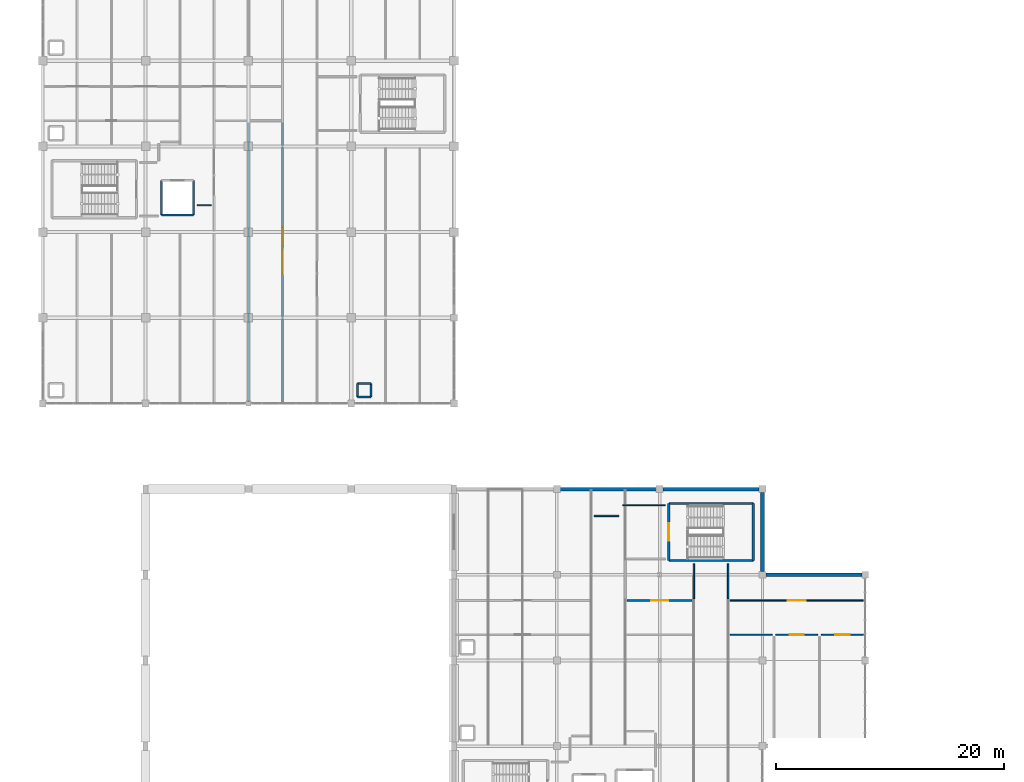
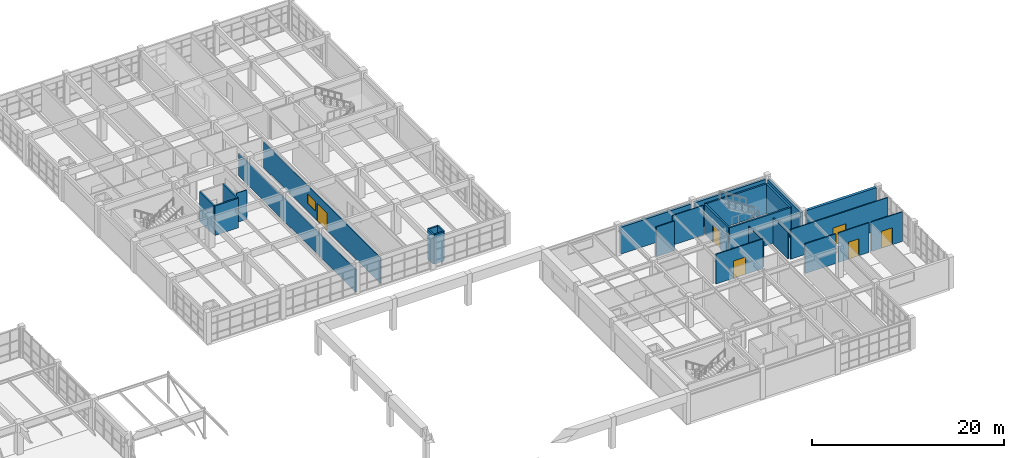
# One storey, part 68 of 76: 27 walls, 6 doors, 1 window, 7 openings.
"""IFC4 building model written with IfcOpenShell, lengths in metres."""

import ifcopenshell
import ifcopenshell.guid

model = None  # the IFC model being written
_history = None  # IfcOwnerHistory: only IFC2X3 demands one
_inside = {}  # id of a spatial element -> (the spatial element, [elements in it])
_under = {}  # id of a project, library or spatial element -> (it, [spatial elements below it])
_declared = {}  # id of a project -> (the project, [libraries it declares])
_typed = {}  # id of a type object -> (the type object, [elements of that type])
_made_of = {}  # id of a material, layer set ... -> (it, [elements and type objects made of it])


def new_model(schema):
    """Start an empty IFC model of exactly this schema.

    Asked for "IFC4X3", IfcOpenShell would pick the latest addendum, in which some entities
    have other attributes; the version numbers below select the first issue.
    IFC2X3 requires an IfcOwnerHistory on every rooted entity: one is made here for all.
    """
    global model, _history
    if schema == "IFC4X3":
        model = ifcopenshell.file(schema_version=(4, 3, 0, 0))
    else:
        model = ifcopenshell.file(schema=schema)
    _inside.clear()
    _under.clear()
    _declared.clear()
    _typed.clear()
    _made_of.clear()
    _history = None
    if model.schema == "IFC2X3":
        org = make("IfcOrganization", Name="unknown")
        user = make(
            "IfcPersonAndOrganization",
            ThePerson=make("IfcPerson", FamilyName="unknown"),
            TheOrganization=org,
        )
        app = make(
            "IfcApplication",
            ApplicationDeveloper=org,
            Version="unknown",
            ApplicationFullName="unknown",
            ApplicationIdentifier="unknown",
        )
        _history = make(
            "IfcOwnerHistory",
            OwningUser=user,
            OwningApplication=app,
            ChangeAction="ADDED",
            CreationDate=0,
        )
    return model


def make(cls, **values):
    """One entity of the class cls with the attributes given. An attribute that is None is left unset."""
    return model.create_entity(
        cls, **{name: value for name, value in values.items() if value is not None}
    )


def rooted(cls, **values):
    """An entity with a GlobalId (a new one), such as an element, a storey or a relation."""
    return make(cls, GlobalId=ifcopenshell.guid.new(), OwnerHistory=_history, **values)


def si_unit(unit_type, name, prefix=None):
    """IfcSIUnit, for example si_unit("LENGTHUNIT", "METRE", prefix="MILLI")."""
    return make("IfcSIUnit", UnitType=unit_type, Prefix=prefix, Name=name)


def assignment(units):
    """IfcUnitAssignment: the units of a project."""
    return None if units is None else make("IfcUnitAssignment", Units=units)


def point(xyz):
    """IfcCartesianPoint."""
    return None if xyz is None else make("IfcCartesianPoint", Coordinates=xyz)


def direction(xyz):
    """IfcDirection."""
    return None if xyz is None else make("IfcDirection", DirectionRatios=xyz)


def frame(location, z_axis=None, x_axis=None):
    """IfcAxis2Placement3D, a coordinate frame: its origin and axes. An axis left out is left unset."""
    return make(
        "IfcAxis2Placement3D",
        Location=point(location),
        Axis=direction(z_axis),
        RefDirection=direction(x_axis),
    )


def frame_2d(location, x_axis=None):
    """IfcAxis2Placement2D, a coordinate frame in the plane: its origin and x axis."""
    return make(
        "IfcAxis2Placement2D", Location=point(location), RefDirection=direction(x_axis)
    )


def origin():
    """The frame at (0, 0, 0) with its axes left unset."""
    return frame((0.0, 0.0, 0.0))


def place(relative_to, where):
    """IfcLocalPlacement: puts the frame where relative to a parent placement (None: the world)."""
    return make(
        "IfcLocalPlacement", PlacementRelTo=relative_to, RelativePlacement=where
    )


def context(
    kind, dimensions, precision=None, world=None, true_north=None, identifier=None
):
    """IfcGeometricRepresentationContext, for example the 3D "Model" context."""
    return make(
        "IfcGeometricRepresentationContext",
        ContextIdentifier=identifier,
        ContextType=kind,
        CoordinateSpaceDimension=dimensions,
        Precision=precision,
        WorldCoordinateSystem=world,
        TrueNorth=true_north,
    )


def subcontext(parent, identifier, kind, view, scale=None):
    """IfcGeometricRepresentationSubContext, for example "Body" below "Model"."""
    return make(
        "IfcGeometricRepresentationSubContext",
        ContextIdentifier=identifier,
        ContextType=kind,
        ParentContext=parent,
        TargetScale=scale,
        TargetView=view,
    )


def project(units=None, contexts=None):
    """IfcProject with its units and contexts."""
    return rooted(
        "IfcProject",
        Name="project",
        RepresentationContexts=contexts,
        UnitsInContext=assignment(units),
    )


def spatial(cls, under=None, at=None, **own):
    """A site, building, storey or space (cls), placed at a placement, below another one or the project."""
    s = rooted(cls, ObjectPlacement=at, **own)
    if under is not None:
        _under.setdefault(under.id(), (under, []))[1].append(s)
    return s


def profile(cls, at=None, kind="AREA", **sizes):
    """A parametric profile (cls). Its sizes go by their IFC names, for example OverallWidth=200.0."""
    return make(cls, ProfileType=kind, Position=at, **sizes)


def rectangle(**sizes):
    """IfcRectangleProfileDef."""
    return profile("IfcRectangleProfileDef", **sizes)


def extrude(swept, where, along, depth):
    """IfcExtrudedAreaSolid: the profile swept, set in the frame where, extruded along a direction by depth."""
    return make(
        "IfcExtrudedAreaSolid",
        SweptArea=swept,
        Position=where,
        ExtrudedDirection=direction(along),
        Depth=depth,
    )


def shape(context_of_items, identifier, shape_type, items):
    """IfcShapeRepresentation: the items that make up one representation, for example the "Body"."""
    return make(
        "IfcShapeRepresentation",
        ContextOfItems=context_of_items,
        RepresentationIdentifier=identifier,
        RepresentationType=shape_type,
        Items=items,
    )


def material(Name=None, Category=None):
    """IfcMaterial."""
    return make("IfcMaterial", Name=Name, Category=Category)


def layer(
    of_material, thickness, ventilated=None, Name=None, Category=None, Priority=None
):
    """IfcMaterialLayer: one layer of a wall or slab, of a material (None: an air gap)."""
    return make(
        "IfcMaterialLayer",
        Material=of_material,
        LayerThickness=thickness,
        IsVentilated=ventilated,
        Name=Name,
        Category=Category,
        Priority=Priority,
    )


def layer_set(layers, Name=None):
    """IfcMaterialLayerSet."""
    return make("IfcMaterialLayerSet", MaterialLayers=layers, LayerSetName=Name)


def made_of(thing, what):
    """Note that an element or type object is made of a material, layer set ...; save() writes the relation."""
    if what is not None:
        _made_of.setdefault(what.id(), (what, []))[1].append(thing)
    return thing


def type_object(cls, material=None, **own):
    """A type object (cls), such as IfcWallType, which elements share."""
    return made_of(rooted(cls, **own), material)


def element(
    cls,
    number,
    at=None,
    inside=None,
    cuts=None,
    type_object=None,
    material=None,
    context=None,
    identifier="Body",
    shape_type=None,
    held_by="IfcProductDefinitionShape",
    body=None,
    shapes=None,
    **own,
):
    """One element of the class cls, such as IfcWall. Its Tag is "e" and its number.

    at: its placement. inside: the storey or other place that contains it. cuts: it is an
    opening in that element (IfcRelVoidsElement). A single representation is given by context,
    identifier, shape_type and body (its items); several are given by shapes. held_by: the class
    of the entity that holds the representations. save() writes the other relations.
    """
    e = rooted(cls, Tag="e%d" % number, ObjectPlacement=at, **own)
    if body is not None:
        shapes = [shape(context, identifier, shape_type, body)]
    if shapes is not None:
        e.Representation = make(held_by, Representations=shapes)
    if inside is not None:
        _inside.setdefault(inside.id(), (inside, []))[1].append(e)
    if cuts is not None:
        rooted(
            "IfcRelVoidsElement", RelatingBuildingElement=cuts, RelatedOpeningElement=e
        )
    if type_object is not None:
        _typed.setdefault(type_object.id(), (type_object, []))[1].append(e)
    return made_of(e, material)


def fill(opening, filler):
    """IfcRelFillsElement: the door or window that sits in an opening."""
    return rooted(
        "IfcRelFillsElement",
        RelatingOpeningElement=opening,
        RelatedBuildingElement=filler,
    )


def aggregate(whole, parts):
    """IfcRelAggregates: a whole, such as a stair, and the parts it consists of."""
    return rooted("IfcRelAggregates", RelatingObject=whole, RelatedObjects=parts)


def save(model, path):
    """Write the relations noted so far, then the file.

    IfcRelAggregates (storeys below a building ...), IfcRelContainedInSpatialStructure (elements
    in a storey), IfcRelDefinesByType, IfcRelAssociatesMaterial and IfcRelDeclares: one each for
    every whole, place, type object, material and project.
    """
    for whole, parts in _under.values():
        aggregate(whole, parts)
    for where, things in _inside.values():
        rooted(
            "IfcRelContainedInSpatialStructure",
            RelatedElements=things,
            RelatingStructure=where,
        )
    for kind, things in _typed.values():
        rooted("IfcRelDefinesByType", RelatedObjects=things, RelatingType=kind)
    for what, things in _made_of.values():
        rooted("IfcRelAssociatesMaterial", RelatedObjects=things, RelatingMaterial=what)
    for by, libraries in _declared.values():
        rooted("IfcRelDeclares", RelatingContext=by, RelatedDefinitions=libraries)
    model.write(path)


model = new_model("IFC4")

# Units and contexts
model_context = context("Model", 3, precision=1e-05, world=origin(), true_north=direction((0.0, 1.0)))
body_context = subcontext(model_context, "Body", "Model", "MODEL_VIEW")
ifc_project = project(units=[si_unit("LENGTHUNIT", "METRE"), si_unit("AREAUNIT", "SQUARE_METRE"), si_unit("VOLUMEUNIT", "CUBIC_METRE"), si_unit("PLANEANGLEUNIT", "RADIAN"), si_unit("MASSUNIT", "GRAM", prefix="KILO")], contexts=[model_context])

# Site, building, storey
site_placement = place(None, origin())
site = spatial("IfcSite", under=ifc_project, at=site_placement, CompositionType="ELEMENT")
building_placement = place(site_placement, origin())
building = spatial("IfcBuilding", under=site, at=building_placement, Name="Marnridge Secondary College", CompositionType="ELEMENT")
storey_placement = place(building_placement, frame((0.0, 0.0, 4.5)))
storey = spatial("IfcBuildingStorey", under=building, at=storey_placement, Name="L01", CompositionType="ELEMENT", Elevation=4.5)

# Walls
ifc_material_1 = material(Name="Concrete C40/50 (AS 3600 N40, 40 MPa)", Category="concrete")
ifc_layer_1 = layer(ifc_material_1, 0.199951171875)
ifc_layer_set_1 = layer_set([ifc_layer_1], Name="WT-CORE-RC200")
wall_type_1 = type_object("IfcWallType", Name="WT-CORE-RC200", PredefinedType="SHEAR", material=ifc_layer_set_1)
wall_1_placement = place(storey_placement, frame((108.800048828125, 23.75, 0.0), z_axis=(0.0, 0.0, 1.0), x_axis=(1.0, 0.0, 0.0)))
element("IfcWall", 1, at=wall_1_placement, inside=storey, type_object=wall_type_1, Name="Stair core shear wall WC-L01-0385", PredefinedType="SHEAR", context=body_context, shape_type="SweptSolid", body=[
    extrude(rectangle(XDim=7.39990234375, YDim=0.199951171875, at=frame_2d((3.699951171875, 0.0))), origin(), (0.0, 0.0, 1.0), 3.77001953125),
])
wall_2_placement = place(storey_placement, frame((116.199951171875, 23.75, 0.0), z_axis=(0.0, 0.0, 1.0), x_axis=(0.0, 1.0, 0.0)))
element("IfcWall", 2, at=wall_2_placement, inside=storey, type_object=wall_type_1, Name="Stair core shear wall WC-L01-0386", PredefinedType="SHEAR", context=body_context, shape_type="SweptSolid", body=[
    extrude(rectangle(XDim=5.0, YDim=0.199951171875, at=frame_2d((2.5, 0.0))), origin(), (0.0, 0.0, 1.0), 3.77001953125),
])
wall_3_placement = place(storey_placement, frame((116.199951171875, 28.75, 0.0), z_axis=(0.0, 0.0, 1.0), x_axis=(-1.0, 0.0, 0.0)))
element("IfcWall", 3, at=wall_3_placement, inside=storey, type_object=wall_type_1, Name="Stair core shear wall WC-L01-0387", PredefinedType="SHEAR", context=body_context, shape_type="SweptSolid", body=[
    extrude(rectangle(XDim=7.39990234375, YDim=0.199951171875, at=frame_2d((3.699951171875, 0.0))), origin(), (0.0, 0.0, 1.0), 3.77001953125),
])

# Wall, opening, door
wall_4_placement = place(storey_placement, frame((108.800048828125, 28.75, 0.0), z_axis=(0.0, 0.0, 1.0), x_axis=(0.0, -1.0, 0.0)))
wall_4 = element("IfcWall", 4, at=wall_4_placement, inside=storey, type_object=wall_type_1, Name="Stair core shear wall WC-L01-0388", PredefinedType="SHEAR", context=body_context, shape_type="SweptSolid", body=[
    extrude(rectangle(XDim=5.0, YDim=0.199951171875, at=frame_2d((2.5, 0.0))), origin(), (0.0, 0.0, 1.0), 3.77001953125),
])
opening_1_placement = place(wall_4_placement, frame((1.75, 0.0, 0.0)))
opening_1 = element("IfcOpeningElement", 5, at=opening_1_placement, cuts=wall_4, Name="Opening DC-L01-035", PredefinedType="OPENING", context=body_context, shape_type="SweptSolid", body=[
    extrude(rectangle(XDim=1.5, YDim=2.14990234375, at=frame_2d((0.75, 1.074951171875))), frame((0.0, 0.10986328125, 0.0), z_axis=(0.0, -1.0, 0.0), x_axis=(1.0, 0.0, 0.0)), (0.0, 0.0, 1.0), 0.219970703125),
])
ifc_material_2 = material(Name="Fire-rated solid-core timber doorset", Category="wood")
door_type_1 = type_object("IfcDoorType", Name="DT-CORE-FD150", OperationType="DOUBLE_DOOR_SINGLE_SWING", PredefinedType="DOOR", material=ifc_material_2)
door_1_placement = place(opening_1_placement, origin())
door_1 = element("IfcDoor", 6, at=door_1_placement, inside=storey, type_object=door_type_1, Name="Fire stair door DC-L01-035", OperationType="DOUBLE_DOOR_SINGLE_SWING", OverallHeight=2.14990234375, OverallWidth=1.5, PredefinedType="DOOR", context=body_context, shape_type="SweptSolid", body=[
    extrude(rectangle(XDim=1.5, YDim=2.14990234375, at=frame_2d((0.75, 1.074951171875))), frame((0.0, 0.02490234375, 0.0), z_axis=(0.0, -1.0, 0.0), x_axis=(1.0, 0.0, 0.0)), (0.0, 0.0, 1.0), 0.050048828125),
])
fill(opening_1, door_1)

# Walls
ifc_material_3 = material(Name="Concrete C40/50 (AS 3600 N40, 40 MPa)", Category="concrete")
ifc_layer_2 = layer(ifc_material_3, 0.320068359375)
ifc_layer_set_2 = layer_set([ifc_layer_2], Name="WT-EXT-RC320")
wall_type_2 = type_object("IfcWallType", Name="WT-EXT-RC320", PredefinedType="SOLIDWALL", material=ifc_layer_set_2)
for number, where, z_axis, x_axis, name in (
    (7, (99.2958984375, 30.0, 0.0), (0.0, 0.0, 1.0), (1.0, 0.0, 0.0), "Exterior wall WE-L01-0103"),
    (8, (108.2958984375, 30.0, 0.0), (0.0, 0.0, 1.0), (1.0, 0.0, 0.0), "Exterior wall WE-L01-0104"),
):
    element("IfcWall", number, at=place(storey_placement, frame(where, z_axis=z_axis, x_axis=x_axis)), inside=storey, type_object=wall_type_2, Name=name, PredefinedType="SOLIDWALL", context=body_context, shape_type="SweptSolid", body=[
        extrude(rectangle(XDim=8.408203125, YDim=0.320068359375, at=frame_2d((4.2041015625, 0.0))), origin(), (0.0, 0.0, 1.0), 3.409912109375),
    ])
wall_5_placement = place(storey_placement, frame((117.0, 29.7041015625, 0.0), z_axis=(0.0, 0.0, 1.0), x_axis=(0.0, -1.0, 0.0)))
element("IfcWall", 9, at=wall_5_placement, inside=storey, type_object=wall_type_2, Name="Exterior wall WE-L01-0105", PredefinedType="SOLIDWALL", context=body_context, shape_type="SweptSolid", body=[
    extrude(rectangle(XDim=6.908203125, YDim=0.320068359375, at=frame_2d((3.4541015625, 0.0))), origin(), (0.0, 0.0, 1.0), 3.409912109375),
])
wall_6_placement = place(storey_placement, frame((117.2958984375, 22.5, 0.0), z_axis=(0.0, 0.0, 1.0), x_axis=(1.0, 0.0, 0.0)))
element("IfcWall", 10, at=wall_6_placement, inside=storey, type_object=wall_type_2, Name="Exterior wall WE-L01-0106", PredefinedType="SOLIDWALL", context=body_context, shape_type="SweptSolid", body=[
    extrude(rectangle(XDim=8.408203125, YDim=0.320068359375, at=frame_2d((4.2041015625, 0.0))), origin(), (0.0, 0.0, 1.0), 3.77001953125),
])

# Wall, openings, door, window
ifc_material_4 = material(Name="Acoustic plasterboard partition Rw45", Category="gypsum")
ifc_layer_3 = layer(ifc_material_4, 0.1201171875)
ifc_layer_set_3 = layer_set([ifc_layer_3], Name="WT-PART-AC120")
wall_type_3 = type_object("IfcWallType", Name="WT-PART-AC120", PredefinedType="PARTITIONING", material=ifc_layer_set_3)
wall_7_placement = place(storey_placement, frame((75.0, 37.659912109375, 0.0), z_axis=(0.0, 0.0, 1.0), x_axis=(0.0, 1.0, 0.0)))
wall_7 = element("IfcWall", 11, at=wall_7_placement, inside=storey, type_object=wall_type_3, Name="Interior partition WP-L01-0135", PredefinedType="PARTITIONING", context=body_context, shape_type="SweptSolid", body=[
    extrude(rectangle(XDim=24.43017578125, YDim=0.1201171875, at=frame_2d((12.215087890625, 0.0))), origin(), (0.0, 0.0, 1.0), 3.281982421875),
])
opening_2_placement = place(wall_7_placement, frame((11.155029296875, 0.0, 0.0)))
opening_2 = element("IfcOpeningElement", 12, at=opening_2_placement, cuts=wall_7, Name="Opening DI-L01-0048", PredefinedType="OPENING", context=body_context, shape_type="SweptSolid", body=[
    extrude(rectangle(XDim=2.1201171875, YDim=2.239990234375, at=frame_2d((1.06005859375, 1.1201171875))), frame((0.0, 0.070068359375, 0.0), z_axis=(0.0, -1.0, 0.0), x_axis=(1.0, 0.0, 0.0)), (0.0, 0.0, 1.0), 0.14013671875),
])
opening_3_placement = place(wall_7_placement, frame((13.625, 0.0, 1.02001953125)))
opening_3 = element("IfcOpeningElement", 13, at=opening_3_placement, cuts=wall_7, Name="Opening WNI-L01-008", PredefinedType="OPENING", context=body_context, shape_type="SweptSolid", body=[
    extrude(rectangle(XDim=1.6201171875, YDim=1.199951171875, at=frame_2d((0.81005859375, 0.60009765625))), frame((0.0, 0.070068359375, 0.0), z_axis=(0.0, -1.0, 0.0), x_axis=(1.0, 0.0, 0.0)), (0.0, 0.0, 1.0), 0.14013671875),
])
ifc_material_5 = material(Name="Solid-core acoustic hoop-pine classroom doorset", Category="wood")
door_type_2 = type_object("IfcDoorType", Name="DT-RM-VAR24", OperationType="NOTDEFINED", PredefinedType="DOOR", material=ifc_material_5)
door_2_placement = place(opening_2_placement, origin())
door_2 = element("IfcDoor", 14, at=door_2_placement, inside=storey, type_object=door_type_2, Name="Interior door DI-L01-0048", OperationType="SINGLE_SWING_RIGHT", OverallHeight=2.239990234375, OverallWidth=2.1201171875, PredefinedType="DOOR", context=body_context, shape_type="SweptSolid", body=[
    extrude(rectangle(XDim=2.1201171875, YDim=2.239990234375, at=frame_2d((1.06005859375, 1.1201171875))), frame((0.0, 0.02490234375, 0.0), z_axis=(0.0, -1.0, 0.0), x_axis=(1.0, 0.0, 0.0)), (0.0, 0.0, 1.0), 0.050048828125),
])
fill(opening_2, door_2)
ifc_material_6 = material(Name="Acoustic laminated interior vision glazing", Category="glass")
window_type = type_object("IfcWindowType", Name="WN-BL-VAR08", PartitioningType="DOUBLE_PANEL_VERTICAL", PredefinedType="WINDOW", material=ifc_material_6)
window_placement = place(opening_3_placement, origin())
window = element("IfcWindow", 15, at=window_placement, inside=storey, type_object=window_type, Name="Interior vision window WNI-L01-008", OverallHeight=1.199951171875, OverallWidth=1.6201171875, PartitioningType="DOUBLE_PANEL_VERTICAL", PredefinedType="WINDOW", context=body_context, shape_type="SweptSolid", body=[
    extrude(rectangle(XDim=1.6201171875, YDim=1.199951171875, at=frame_2d((0.81005859375, 0.60009765625))), frame((0.0, 0.030029296875, 0.0), z_axis=(0.0, -1.0, 0.0), x_axis=(1.0, 0.0, 0.0)), (0.0, 0.0, 1.0), 0.06005859375),
])
fill(opening_3, window)

# Wall
wall_8_placement = place(storey_placement, frame((111.0, 20.409912109375, 0.0), z_axis=(0.0, 0.0, 1.0), x_axis=(0.0, 1.0, 0.0)))
element("IfcWall", 16, at=wall_8_placement, inside=storey, type_object=wall_type_3, Name="Interior partition WP-L01-0179", PredefinedType="PARTITIONING", context=body_context, shape_type="SweptSolid", body=[
    extrude(rectangle(XDim=3.0400390625, YDim=0.1201171875, at=frame_2d((1.52001953125, 0.0))), origin(), (0.0, 0.0, 1.0), 3.362060546875),
])

# Wall, opening, door
wall_9_placement = place(storey_placement, frame((114.159912109375, 20.25, 0.0), z_axis=(0.0, 0.0, 1.0), x_axis=(1.0, 0.0, 0.0)))
wall_9 = element("IfcWall", 17, at=wall_9_placement, inside=storey, type_object=wall_type_3, Name="Interior partition WP-L01-0181", PredefinedType="PARTITIONING", context=body_context, shape_type="SweptSolid", body=[
    extrude(rectangle(XDim=11.68017578125, YDim=0.1201171875, at=frame_2d((5.840087890625, 0.0))), origin(), (0.0, 0.0, 1.0), 3.77001953125),
])
opening_4_placement = place(wall_9_placement, frame((5.070068359375, 0.0, 0.0)))
opening_4 = element("IfcOpeningElement", 18, at=opening_4_placement, cuts=wall_9, Name="Opening DI-L01-0063", PredefinedType="OPENING", context=body_context, shape_type="SweptSolid", body=[
    extrude(rectangle(XDim=1.5400390625, YDim=2.199951171875, at=frame_2d((0.77001953125, 1.10009765625))), frame((0.0, 0.070068359375, 0.0), z_axis=(0.0, -1.0, 0.0), x_axis=(1.0, 0.0, 0.0)), (0.0, 0.0, 1.0), 0.14013671875),
])
ifc_material_7 = material(Name="Solid-core acoustic hoop-pine classroom doorset", Category="wood")
door_type_3 = type_object("IfcDoorType", Name="DT-RM-VAR15", OperationType="NOTDEFINED", PredefinedType="DOOR", material=ifc_material_7)
door_3_placement = place(opening_4_placement, origin())
door_3 = element("IfcDoor", 19, at=door_3_placement, inside=storey, type_object=door_type_3, Name="Interior door DI-L01-0063", OperationType="SINGLE_SWING_LEFT", OverallHeight=2.199951171875, OverallWidth=1.5400390625, PredefinedType="DOOR", context=body_context, shape_type="SweptSolid", body=[
    extrude(rectangle(XDim=1.5400390625, YDim=2.199951171875, at=frame_2d((0.77001953125, 1.10009765625))), frame((0.0, 0.02490234375, 0.0), z_axis=(0.0, -1.0, 0.0), x_axis=(1.0, 0.0, 0.0)), (0.0, 0.0, 1.0), 0.050048828125),
])
fill(opening_4, door_3)

# Walls
ifc_material_8 = material(Name="Acoustic plasterboard partition Rw48", Category="gypsum")
ifc_layer_4 = layer(ifc_material_8, 0.135009765625)
ifc_layer_set_4 = layer_set([ifc_layer_4], Name="WT-PART-AC135")
wall_type_4 = type_object("IfcWallType", Name="WT-PART-AC135", PredefinedType="PARTITIONING", material=ifc_layer_set_4)
wall_10_placement = place(storey_placement, frame((72.0, 37.659912109375, 0.0), z_axis=(0.0, 0.0, 1.0), x_axis=(0.0, 1.0, 0.0)))
element("IfcWall", 20, at=wall_10_placement, inside=storey, type_object=wall_type_4, Name="Interior partition WP-L01-0148", PredefinedType="PARTITIONING", context=body_context, shape_type="SweptSolid", body=[
    extrude(rectangle(XDim=24.43017578125, YDim=0.135009765625, at=frame_2d((12.215087890625, 0.0))), origin(), (0.0, 0.0, 1.0), 2.876953125),
])
wall_11_placement = place(storey_placement, frame((102.260009765625, 27.64990234375, 0.0), z_axis=(0.0, 0.0, 1.0), x_axis=(1.0, 0.0, 0.0)))
element("IfcWall", 21, at=wall_11_placement, inside=storey, type_object=wall_type_4, Name="Interior partition WP-L01-0174", PredefinedType="PARTITIONING", context=body_context, shape_type="SweptSolid", body=[
    extrude(rectangle(XDim=2.179931640625, YDim=0.135009765625, at=frame_2d((1.08984375, 0.0))), origin(), (0.0, 0.0, 1.0), 3.77001953125),
])

# Wall, opening, door
wall_12_placement = place(storey_placement, frame((105.159912109375, 20.25, 0.0), z_axis=(0.0, 0.0, 1.0), x_axis=(1.0, 0.0, 0.0)))
wall_12 = element("IfcWall", 22, at=wall_12_placement, inside=storey, type_object=wall_type_4, Name="Interior partition WP-L01-0178", PredefinedType="PARTITIONING", context=body_context, shape_type="SweptSolid", body=[
    extrude(rectangle(XDim=5.68017578125, YDim=0.135009765625, at=frame_2d((2.840087890625, 0.0))), origin(), (0.0, 0.0, 1.0), 3.77001953125),
])
opening_5_placement = place(wall_12_placement, frame((2.10009765625, 0.0, 0.0)))
opening_5 = element("IfcOpeningElement", 23, at=opening_5_placement, cuts=wall_12, Name="Opening DI-L01-0062", PredefinedType="OPENING", context=body_context, shape_type="SweptSolid", body=[
    extrude(rectangle(XDim=1.47998046875, YDim=2.199951171875, at=frame_2d((0.739990234375, 1.10009765625))), frame((0.0, 0.077392578125, 0.0), z_axis=(0.0, -1.0, 0.0), x_axis=(1.0, 0.0, 0.0)), (0.0, 0.0, 1.0), 0.155029296875),
])
ifc_material_9 = material(Name="Solid-core acoustic hoop-pine classroom doorset", Category="wood")
door_type_4 = type_object("IfcDoorType", Name="DT-RM-VAR14", OperationType="NOTDEFINED", PredefinedType="DOOR", material=ifc_material_9)
door_4_placement = place(opening_5_placement, origin())
door_4 = element("IfcDoor", 24, at=door_4_placement, inside=storey, type_object=door_type_4, Name="Interior door DI-L01-0062", OperationType="SINGLE_SWING_RIGHT", OverallHeight=2.199951171875, OverallWidth=1.47998046875, PredefinedType="DOOR", context=body_context, shape_type="SweptSolid", body=[
    extrude(rectangle(XDim=1.47998046875, YDim=2.199951171875, at=frame_2d((0.739990234375, 1.10009765625))), frame((0.0, 0.02490234375, 0.0), z_axis=(0.0, -1.0, 0.0), x_axis=(1.0, 0.0, 0.0)), (0.0, 0.0, 1.0), 0.050048828125),
])
fill(opening_5, door_4)

# Walls
wall_13_placement = place(storey_placement, frame((114.0, 23.449951171875, 0.0), z_axis=(0.0, 0.0, 1.0), x_axis=(0.0, -1.0, 0.0)))
element("IfcWall", 25, at=wall_13_placement, inside=storey, type_object=wall_type_4, Name="Interior partition WP-L01-0180", PredefinedType="PARTITIONING", context=body_context, shape_type="SweptSolid", body=[
    extrude(rectangle(XDim=3.0400390625, YDim=0.135009765625, at=frame_2d((1.52001953125, 0.0))), origin(), (0.0, 0.0, 1.0), 3.362060546875),
])
ifc_material_10 = material(Name="Acoustic glazed studio partition system", Category="gypsum")
ifc_layer_5 = layer(ifc_material_10, 0.10009765625)
ifc_layer_set_5 = layer_set([ifc_layer_5], Name="WT-PART-GL100")
wall_type_5 = type_object("IfcWallType", Name="WT-PART-GL100", PredefinedType="PARTITIONING", material=ifc_layer_set_5)
wall_14_placement = place(storey_placement, frame((68.739990234375, 54.85009765625, 0.0), z_axis=(0.0, 0.0, 1.0), x_axis=(-1.0, 0.0, 0.0)))
element("IfcWall", 26, at=wall_14_placement, inside=storey, type_object=wall_type_5, Name="Interior partition WP-L01-0133", PredefinedType="PARTITIONING", context=body_context, shape_type="SweptSolid", body=[
    extrude(rectangle(XDim=1.239990234375, YDim=0.10009765625, at=frame_2d((0.6201171875, 0.0))), origin(), (0.0, 0.0, 1.0), 3.739990234375),
])
wall_15_placement = place(storey_placement, frame((104.760009765625, 28.60009765625, 0.0), z_axis=(0.0, 0.0, 1.0), x_axis=(1.0, 0.0, 0.0)))
element("IfcWall", 27, at=wall_15_placement, inside=storey, type_object=wall_type_5, Name="Interior partition WP-L01-0175", PredefinedType="PARTITIONING", context=body_context, shape_type="SweptSolid", body=[
    extrude(rectangle(XDim=3.739990234375, YDim=0.10009765625, at=frame_2d((1.8701171875, 0.0))), origin(), (0.0, 0.0, 1.0), 3.77001953125),
])
ifc_material_11 = material(Name="Moisture-resistant plasterboard sanitary partition", Category="gypsum")
ifc_layer_6 = layer(ifc_material_11, 0.110107421875)
ifc_layer_set_6 = layer_set([ifc_layer_6], Name="WT-PART-WT110")
wall_type_6 = type_object("IfcWallType", Name="WT-PART-WT110", PredefinedType="PARTITIONING", material=ifc_layer_set_6)
wall_16_placement = place(storey_placement, frame((117.840087890625, 17.25, 0.0), z_axis=(0.0, 0.0, 1.0), x_axis=(-1.0, 0.0, 0.0)))
element("IfcWall", 28, at=wall_16_placement, inside=storey, type_object=wall_type_6, Name="Interior partition WP-L01-0158", PredefinedType="PARTITIONING", context=body_context, shape_type="SweptSolid", body=[
    extrude(rectangle(XDim=3.68017578125, YDim=0.110107421875, at=frame_2d((1.840087890625, 0.0))), origin(), (0.0, 0.0, 1.0), 3.77001953125),
])

# Wall, opening, door
wall_17_placement = place(storey_placement, frame((121.840087890625, 17.25, 0.0), z_axis=(0.0, 0.0, 1.0), x_axis=(-1.0, 0.0, 0.0)))
wall_17 = element("IfcWall", 29, at=wall_17_placement, inside=storey, type_object=wall_type_6, Name="Interior partition WP-L01-0160", PredefinedType="PARTITIONING", context=body_context, shape_type="SweptSolid", body=[
    extrude(rectangle(XDim=3.68017578125, YDim=0.110107421875, at=frame_2d((1.840087890625, 0.0))), origin(), (0.0, 0.0, 1.0), 3.77001953125),
])
opening_6_placement = place(wall_17_placement, frame((1.22998046875, 0.0, 0.0)))
opening_6 = element("IfcOpeningElement", 30, at=opening_6_placement, cuts=wall_17, Name="Opening DI-L01-0057", PredefinedType="OPENING", context=body_context, shape_type="SweptSolid", body=[
    extrude(rectangle(XDim=1.219970703125, YDim=2.159912109375, at=frame_2d((0.60986328125, 1.080078125))), frame((0.0, 0.06494140625, 0.0), z_axis=(0.0, -1.0, 0.0), x_axis=(1.0, 0.0, 0.0)), (0.0, 0.0, 1.0), 0.130126953125),
])
ifc_material_12 = material(Name="Solid-core acoustic hoop-pine classroom doorset", Category="wood")
door_type_5 = type_object("IfcDoorType", Name="DT-RM-VAR09", OperationType="NOTDEFINED", PredefinedType="DOOR", material=ifc_material_12)
door_5_placement = place(opening_6_placement, origin())
door_5 = element("IfcDoor", 31, at=door_5_placement, inside=storey, type_object=door_type_5, Name="Interior door DI-L01-0057", OperationType="SINGLE_SWING_LEFT", OverallHeight=2.159912109375, OverallWidth=1.219970703125, PredefinedType="DOOR", context=body_context, shape_type="SweptSolid", body=[
    extrude(rectangle(XDim=1.219970703125, YDim=2.159912109375, at=frame_2d((0.60986328125, 1.080078125))), frame((0.0, 0.02490234375, 0.0), z_axis=(0.0, -1.0, 0.0), x_axis=(1.0, 0.0, 0.0)), (0.0, 0.0, 1.0), 0.050048828125),
])
fill(opening_6, door_5)

wall_18_placement = place(storey_placement, frame((125.840087890625, 17.25, 0.0), z_axis=(0.0, 0.0, 1.0), x_axis=(-1.0, 0.0, 0.0)))
wall_18 = element("IfcWall", 32, at=wall_18_placement, inside=storey, type_object=wall_type_6, Name="Interior partition WP-L01-0161", PredefinedType="PARTITIONING", context=body_context, shape_type="SweptSolid", body=[
    extrude(rectangle(XDim=3.68017578125, YDim=0.110107421875, at=frame_2d((1.840087890625, 0.0))), origin(), (0.0, 0.0, 1.0), 3.77001953125),
])
opening_7_placement = place(wall_18_placement, frame((1.205078125, 0.0, 0.0)))
opening_7 = element("IfcOpeningElement", 33, at=opening_7_placement, cuts=wall_18, Name="Opening DI-L01-0058", PredefinedType="OPENING", context=body_context, shape_type="SweptSolid", body=[
    extrude(rectangle(XDim=1.27001953125, YDim=2.159912109375, at=frame_2d((0.635009765625, 1.080078125))), frame((0.0, 0.06494140625, 0.0), z_axis=(0.0, -1.0, 0.0), x_axis=(1.0, 0.0, 0.0)), (0.0, 0.0, 1.0), 0.130126953125),
])
ifc_material_13 = material(Name="Solid-core acoustic hoop-pine classroom doorset", Category="wood")
door_type_6 = type_object("IfcDoorType", Name="DT-RM-VAR10", OperationType="NOTDEFINED", PredefinedType="DOOR", material=ifc_material_13)
door_6_placement = place(opening_7_placement, origin())
door_6 = element("IfcDoor", 34, at=door_6_placement, inside=storey, type_object=door_type_6, Name="Interior door DI-L01-0058", OperationType="SINGLE_SWING_RIGHT", OverallHeight=2.159912109375, OverallWidth=1.27001953125, PredefinedType="DOOR", context=body_context, shape_type="SweptSolid", body=[
    extrude(rectangle(XDim=1.27001953125, YDim=2.159912109375, at=frame_2d((0.635009765625, 1.080078125))), frame((0.0, 0.02490234375, 0.0), z_axis=(0.0, -1.0, 0.0), x_axis=(1.0, 0.0, 0.0)), (0.0, 0.0, 1.0), 0.050048828125),
])
fill(opening_7, door_6)

# Walls
ifc_material_14 = material(Name="Concrete C40/50 (AS 3600 N40, 40 MPa)", Category="concrete")
ifc_layer_7 = layer(ifc_material_14, 0.179931640625)
ifc_layer_set_7 = layer_set([ifc_layer_7], Name="WT-SHAFT-RC180")
wall_type_7 = type_object("IfcWallType", Name="WT-SHAFT-RC180", PredefinedType="SHEAR", material=ifc_layer_set_7)
for number, where, z_axis, x_axis, name in (
    (35, (82.75, 38.050048828125, 0.0), (0.0, 0.0, 1.0), (-1.0, 0.0, 0.0), "Service riser shaft wall WR-L01-0113"),
    (36, (81.550048828125, 38.050048828125, 0.0), (0.0, 0.0, 1.0), (0.0, 1.0, 0.0), "Service riser shaft wall WR-L01-0114"),
    (37, (81.550048828125, 39.25, 0.0), (0.0, 0.0, 1.0), (1.0, 0.0, 0.0), "Service riser shaft wall WR-L01-0115"),
    (38, (82.75, 39.25, 0.0), (0.0, 0.0, 1.0), (0.0, -1.0, 0.0), "Service riser shaft wall WR-L01-0116"),
):
    element("IfcWall", number, at=place(storey_placement, frame(where, z_axis=z_axis, x_axis=x_axis)), inside=storey, type_object=wall_type_7, Name=name, PredefinedType="SHEAR", context=body_context, shape_type="SweptSolid", body=[
        extrude(rectangle(XDim=1.199951171875, YDim=0.179931640625, at=frame_2d((0.60009765625, 0.0))), origin(), (0.0, 0.0, 1.0), 3.739990234375),
    ])
wall_19_placement = place(storey_placement, frame((67.199951171875, 54.0, 0.0), z_axis=(0.0, 0.0, 1.0), x_axis=(-1.0, 0.0, 0.0)))
element("IfcWall", 39, at=wall_19_placement, inside=storey, type_object=wall_type_7, Name="Lift shaft wall WL-L01-0413", PredefinedType="SHEAR", context=body_context, shape_type="SweptSolid", body=[
    extrude(rectangle(XDim=2.800048828125, YDim=0.179931640625, at=frame_2d((1.39990234375, 0.0))), origin(), (0.0, 0.0, 1.0), 3.739990234375),
])
for number, where, z_axis, x_axis, name in (
    (40, (64.39990234375, 54.0, 0.0), (0.0, 0.0, 1.0), (0.0, 1.0, 0.0), "Lift shaft wall WL-L01-0414"),
    (41, (67.199951171875, 57.0, 0.0), (0.0, 0.0, 1.0), (0.0, -1.0, 0.0), "Lift shaft wall WL-L01-0416"),
):
    element("IfcWall", number, at=place(storey_placement, frame(where, z_axis=z_axis, x_axis=x_axis)), inside=storey, type_object=wall_type_7, Name=name, PredefinedType="SHEAR", context=body_context, shape_type="SweptSolid", body=[
        extrude(rectangle(XDim=3.0, YDim=0.179931640625, at=frame_2d((1.5, 0.0))), origin(), (0.0, 0.0, 1.0), 3.739990234375),
    ])

save(model, "model.ifc")
